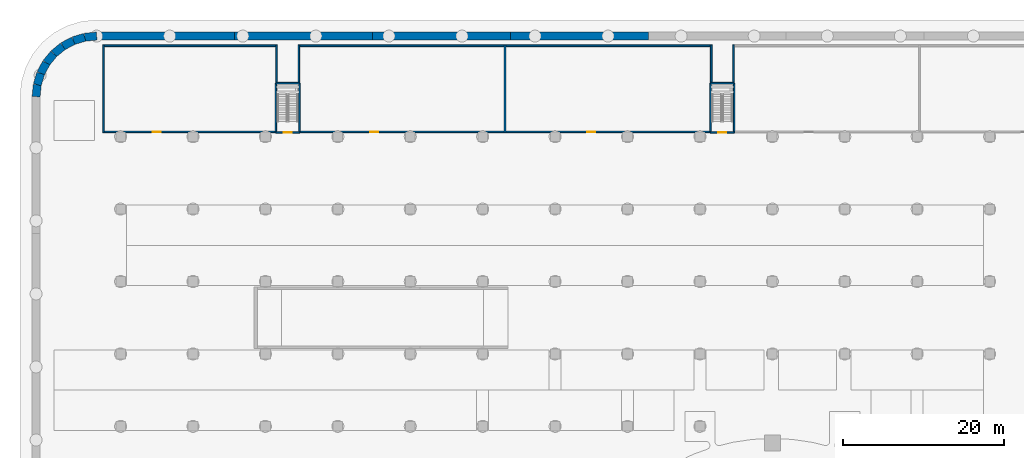
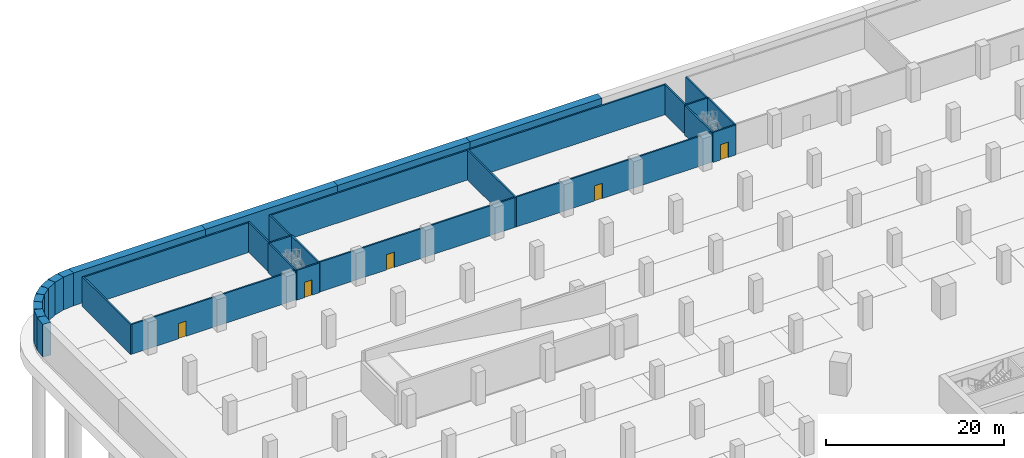
# One storey, part 20 of 39: 32 walls, 5 doors, 5 openings.
"""IFC4 building model written with IfcOpenShell, lengths in metres."""

import ifcopenshell
import ifcopenshell.guid

model = None  # the IFC model being written
_history = None  # IfcOwnerHistory: only IFC2X3 demands one
_inside = {}  # id of a spatial element -> (the spatial element, [elements in it])
_under = {}  # id of a project, library or spatial element -> (it, [spatial elements below it])
_declared = {}  # id of a project -> (the project, [libraries it declares])
_typed = {}  # id of a type object -> (the type object, [elements of that type])
_made_of = {}  # id of a material, layer set ... -> (it, [elements and type objects made of it])


def new_model(schema):
    """Start an empty IFC model of exactly this schema.

    Asked for "IFC4X3", IfcOpenShell would pick the latest addendum, in which some entities
    have other attributes; the version numbers below select the first issue.
    IFC2X3 requires an IfcOwnerHistory on every rooted entity: one is made here for all.
    """
    global model, _history
    if schema == "IFC4X3":
        model = ifcopenshell.file(schema_version=(4, 3, 0, 0))
    else:
        model = ifcopenshell.file(schema=schema)
    _inside.clear()
    _under.clear()
    _declared.clear()
    _typed.clear()
    _made_of.clear()
    _history = None
    if model.schema == "IFC2X3":
        org = make("IfcOrganization", Name="unknown")
        user = make(
            "IfcPersonAndOrganization",
            ThePerson=make("IfcPerson", FamilyName="unknown"),
            TheOrganization=org,
        )
        app = make(
            "IfcApplication",
            ApplicationDeveloper=org,
            Version="unknown",
            ApplicationFullName="unknown",
            ApplicationIdentifier="unknown",
        )
        _history = make(
            "IfcOwnerHistory",
            OwningUser=user,
            OwningApplication=app,
            ChangeAction="ADDED",
            CreationDate=0,
        )
    return model


def make(cls, **values):
    """One entity of the class cls with the attributes given. An attribute that is None is left unset."""
    return model.create_entity(
        cls, **{name: value for name, value in values.items() if value is not None}
    )


def rooted(cls, **values):
    """An entity with a GlobalId (a new one), such as an element, a storey or a relation."""
    return make(cls, GlobalId=ifcopenshell.guid.new(), OwnerHistory=_history, **values)


def si_unit(unit_type, name, prefix=None):
    """IfcSIUnit, for example si_unit("LENGTHUNIT", "METRE", prefix="MILLI")."""
    return make("IfcSIUnit", UnitType=unit_type, Prefix=prefix, Name=name)


def assignment(units):
    """IfcUnitAssignment: the units of a project."""
    return None if units is None else make("IfcUnitAssignment", Units=units)


def point(xyz):
    """IfcCartesianPoint."""
    return None if xyz is None else make("IfcCartesianPoint", Coordinates=xyz)


def direction(xyz):
    """IfcDirection."""
    return None if xyz is None else make("IfcDirection", DirectionRatios=xyz)


def frame(location, z_axis=None, x_axis=None):
    """IfcAxis2Placement3D, a coordinate frame: its origin and axes. An axis left out is left unset."""
    return make(
        "IfcAxis2Placement3D",
        Location=point(location),
        Axis=direction(z_axis),
        RefDirection=direction(x_axis),
    )


def frame_2d(location, x_axis=None):
    """IfcAxis2Placement2D, a coordinate frame in the plane: its origin and x axis."""
    return make(
        "IfcAxis2Placement2D", Location=point(location), RefDirection=direction(x_axis)
    )


def origin():
    """The frame at (0, 0, 0) with its axes left unset."""
    return frame((0.0, 0.0, 0.0))


def place(relative_to, where):
    """IfcLocalPlacement: puts the frame where relative to a parent placement (None: the world)."""
    return make(
        "IfcLocalPlacement", PlacementRelTo=relative_to, RelativePlacement=where
    )


def context(
    kind, dimensions, precision=None, world=None, true_north=None, identifier=None
):
    """IfcGeometricRepresentationContext, for example the 3D "Model" context."""
    return make(
        "IfcGeometricRepresentationContext",
        ContextIdentifier=identifier,
        ContextType=kind,
        CoordinateSpaceDimension=dimensions,
        Precision=precision,
        WorldCoordinateSystem=world,
        TrueNorth=true_north,
    )


def subcontext(parent, identifier, kind, view, scale=None):
    """IfcGeometricRepresentationSubContext, for example "Body" below "Model"."""
    return make(
        "IfcGeometricRepresentationSubContext",
        ContextIdentifier=identifier,
        ContextType=kind,
        ParentContext=parent,
        TargetScale=scale,
        TargetView=view,
    )


def project(units=None, contexts=None):
    """IfcProject with its units and contexts."""
    return rooted(
        "IfcProject",
        Name="project",
        RepresentationContexts=contexts,
        UnitsInContext=assignment(units),
    )


def spatial(cls, under=None, at=None, **own):
    """A site, building, storey or space (cls), placed at a placement, below another one or the project."""
    s = rooted(cls, ObjectPlacement=at, **own)
    if under is not None:
        _under.setdefault(under.id(), (under, []))[1].append(s)
    return s


def profile(cls, at=None, kind="AREA", **sizes):
    """A parametric profile (cls). Its sizes go by their IFC names, for example OverallWidth=200.0."""
    return make(cls, ProfileType=kind, Position=at, **sizes)


def rectangle(**sizes):
    """IfcRectangleProfileDef."""
    return profile("IfcRectangleProfileDef", **sizes)


def extrude(swept, where, along, depth):
    """IfcExtrudedAreaSolid: the profile swept, set in the frame where, extruded along a direction by depth."""
    return make(
        "IfcExtrudedAreaSolid",
        SweptArea=swept,
        Position=where,
        ExtrudedDirection=direction(along),
        Depth=depth,
    )


def shape(context_of_items, identifier, shape_type, items):
    """IfcShapeRepresentation: the items that make up one representation, for example the "Body"."""
    return make(
        "IfcShapeRepresentation",
        ContextOfItems=context_of_items,
        RepresentationIdentifier=identifier,
        RepresentationType=shape_type,
        Items=items,
    )


def material(Name=None, Category=None):
    """IfcMaterial."""
    return make("IfcMaterial", Name=Name, Category=Category)


def layer(
    of_material, thickness, ventilated=None, Name=None, Category=None, Priority=None
):
    """IfcMaterialLayer: one layer of a wall or slab, of a material (None: an air gap)."""
    return make(
        "IfcMaterialLayer",
        Material=of_material,
        LayerThickness=thickness,
        IsVentilated=ventilated,
        Name=Name,
        Category=Category,
        Priority=Priority,
    )


def layer_set(layers, Name=None):
    """IfcMaterialLayerSet."""
    return make("IfcMaterialLayerSet", MaterialLayers=layers, LayerSetName=Name)


def made_of(thing, what):
    """Note that an element or type object is made of a material, layer set ...; save() writes the relation."""
    if what is not None:
        _made_of.setdefault(what.id(), (what, []))[1].append(thing)
    return thing


def type_object(cls, material=None, **own):
    """A type object (cls), such as IfcWallType, which elements share."""
    return made_of(rooted(cls, **own), material)


def element(
    cls,
    number,
    at=None,
    inside=None,
    cuts=None,
    type_object=None,
    material=None,
    context=None,
    identifier="Body",
    shape_type=None,
    held_by="IfcProductDefinitionShape",
    body=None,
    shapes=None,
    **own,
):
    """One element of the class cls, such as IfcWall. Its Tag is "e" and its number.

    at: its placement. inside: the storey or other place that contains it. cuts: it is an
    opening in that element (IfcRelVoidsElement). A single representation is given by context,
    identifier, shape_type and body (its items); several are given by shapes. held_by: the class
    of the entity that holds the representations. save() writes the other relations.
    """
    e = rooted(cls, Tag="e%d" % number, ObjectPlacement=at, **own)
    if body is not None:
        shapes = [shape(context, identifier, shape_type, body)]
    if shapes is not None:
        e.Representation = make(held_by, Representations=shapes)
    if inside is not None:
        _inside.setdefault(inside.id(), (inside, []))[1].append(e)
    if cuts is not None:
        rooted(
            "IfcRelVoidsElement", RelatingBuildingElement=cuts, RelatedOpeningElement=e
        )
    if type_object is not None:
        _typed.setdefault(type_object.id(), (type_object, []))[1].append(e)
    return made_of(e, material)


def fill(opening, filler):
    """IfcRelFillsElement: the door or window that sits in an opening."""
    return rooted(
        "IfcRelFillsElement",
        RelatingOpeningElement=opening,
        RelatedBuildingElement=filler,
    )


def aggregate(whole, parts):
    """IfcRelAggregates: a whole, such as a stair, and the parts it consists of."""
    return rooted("IfcRelAggregates", RelatingObject=whole, RelatedObjects=parts)


def save(model, path):
    """Write the relations noted so far, then the file.

    IfcRelAggregates (storeys below a building ...), IfcRelContainedInSpatialStructure (elements
    in a storey), IfcRelDefinesByType, IfcRelAssociatesMaterial and IfcRelDeclares: one each for
    every whole, place, type object, material and project.
    """
    for whole, parts in _under.values():
        aggregate(whole, parts)
    for where, things in _inside.values():
        rooted(
            "IfcRelContainedInSpatialStructure",
            RelatedElements=things,
            RelatingStructure=where,
        )
    for kind, things in _typed.values():
        rooted("IfcRelDefinesByType", RelatedObjects=things, RelatingType=kind)
    for what, things in _made_of.values():
        rooted("IfcRelAssociatesMaterial", RelatedObjects=things, RelatingMaterial=what)
    for by, libraries in _declared.values():
        rooted("IfcRelDeclares", RelatingContext=by, RelatedDefinitions=libraries)
    model.write(path)


model = new_model("IFC4")

# Units and contexts
model_context = context("Model", 3, precision=1e-05, world=origin(), true_north=direction((0.0, 1.0)))
body_context = subcontext(model_context, "Body", "Model", "MODEL_VIEW")
ifc_project = project(units=[si_unit("LENGTHUNIT", "METRE"), si_unit("AREAUNIT", "SQUARE_METRE"), si_unit("VOLUMEUNIT", "CUBIC_METRE"), si_unit("PLANEANGLEUNIT", "RADIAN"), si_unit("MASSUNIT", "GRAM", prefix="KILO")], contexts=[model_context])

# Site, building, storey
site_placement = place(None, origin())
site = spatial("IfcSite", under=ifc_project, at=site_placement, CompositionType="ELEMENT")
building_placement = place(site_placement, origin())
building = spatial("IfcBuilding", under=site, at=building_placement, Name="Ogive Gate Towers", CompositionType="ELEMENT")
storey_placement = place(building_placement, frame((0.0, 0.0, -9.0)))
storey = spatial("IfcBuildingStorey", under=building, at=storey_placement, Name="B2", CompositionType="ELEMENT", Elevation=-9.0)

# Wall, opening, door
ifc_material_1 = material(Name="Reinforced concrete C32/40", Category="concrete")
ifc_layer_1 = layer(ifc_material_1, 0.199951171875)
ifc_layer_set_1 = layer_set([ifc_layer_1], Name="Car park stair shaft wall 200")
wall_type_1 = type_object("IfcWallType", Name="Car park stair shaft wall 200", PredefinedType="SOLIDWALL", material=ifc_layer_set_1)
wall_1_placement = place(storey_placement, frame((-94.75, 63.5, 0.0), z_axis=(0.0, 0.0, 1.0), x_axis=(-1.0, 0.0, 0.0)))
wall_1 = element("IfcWall", 1, at=wall_1_placement, inside=storey, type_object=wall_type_1, Name="CS1 stair shaft wall B2 1", PredefinedType="SOLIDWALL", context=body_context, shape_type="SweptSolid", body=[
    extrude(rectangle(XDim=2.949951171875, YDim=0.199951171875, at=frame_2d((1.47509765625, 0.0))), origin(), (0.0, 0.0, 1.0), 4.10009765625),
])
opening_1_placement = place(wall_1_placement, frame((0.97509765625, 0.0, 0.0)))
opening_1 = element("IfcOpeningElement", 2, at=opening_1_placement, cuts=wall_1, Name="Opening CPD31-B2", PredefinedType="OPENING", context=body_context, shape_type="SweptSolid", body=[
    extrude(rectangle(XDim=1.0, YDim=2.10009765625, at=frame_2d((0.5, 1.050048828125))), frame((0.0, 0.10986328125, 0.0), z_axis=(0.0, -1.0, 0.0), x_axis=(1.0, 0.0, 0.0)), (0.0, 0.0, 1.0), 0.219970703125),
])
ifc_material_2 = material(Name="Painted steel door", Category="steel")
door_type_1 = type_object("IfcDoorType", Name="Stair house door 1000 x 2100", OperationType="SINGLE_SWING_LEFT", PredefinedType="DOOR", material=ifc_material_2)
door_1_placement = place(opening_1_placement, origin())
door_1 = element("IfcDoor", 3, at=door_1_placement, inside=storey, type_object=door_type_1, Name="Door CS1 stair B2", OperationType="SINGLE_SWING_LEFT", OverallHeight=2.10009765625, OverallWidth=1.0, PredefinedType="DOOR", context=body_context, shape_type="SweptSolid", body=[
    extrude(rectangle(XDim=1.0, YDim=2.10009765625, at=frame_2d((0.5, 1.050048828125))), frame((0.0, 0.02490234375, 0.0), z_axis=(0.0, -1.0, 0.0), x_axis=(1.0, 0.0, 0.0)), (0.0, 0.0, 1.0), 0.050048828125),
])
fill(opening_1, door_1)

# Walls
wall_2_placement = place(storey_placement, frame((-97.699951171875, 63.5, 0.0), z_axis=(0.0, 0.0, 1.0), x_axis=(0.0, 1.0, 0.0)))
element("IfcWall", 4, at=wall_2_placement, inside=storey, type_object=wall_type_1, Name="CS1 stair shaft wall B2 2", PredefinedType="SOLIDWALL", context=body_context, shape_type="SweptSolid", body=[
    extrude(rectangle(XDim=6.159912109375, YDim=0.199951171875, at=frame_2d((3.080078125, 0.0))), origin(), (0.0, 0.0, 1.0), 4.10009765625),
])
wall_3_placement = place(storey_placement, frame((-97.699951171875, 69.659912109375, 0.0), z_axis=(0.0, 0.0, 1.0), x_axis=(1.0, 0.0, 0.0)))
element("IfcWall", 5, at=wall_3_placement, inside=storey, type_object=wall_type_1, Name="CS1 stair shaft wall B2 3", PredefinedType="SOLIDWALL", context=body_context, shape_type="SweptSolid", body=[
    extrude(rectangle(XDim=2.949951171875, YDim=0.199951171875, at=frame_2d((1.47509765625, 0.0))), origin(), (0.0, 0.0, 1.0), 4.10009765625),
])
wall_4_placement = place(storey_placement, frame((-94.75, 69.659912109375, 0.0), z_axis=(0.0, 0.0, 1.0), x_axis=(0.0, -1.0, 0.0)))
element("IfcWall", 6, at=wall_4_placement, inside=storey, type_object=wall_type_1, Name="CS1 stair shaft wall B2 4", PredefinedType="SOLIDWALL", context=body_context, shape_type="SweptSolid", body=[
    extrude(rectangle(XDim=6.159912109375, YDim=0.199951171875, at=frame_2d((3.080078125, 0.0))), origin(), (0.0, 0.0, 1.0), 4.10009765625),
])

# Wall, opening, door
wall_5_placement = place(storey_placement, frame((-40.75, 63.5, 0.0), z_axis=(0.0, 0.0, 1.0), x_axis=(-1.0, 0.0, 0.0)))
wall_5 = element("IfcWall", 7, at=wall_5_placement, inside=storey, type_object=wall_type_1, Name="CS2 stair shaft wall B2 1", PredefinedType="SOLIDWALL", context=body_context, shape_type="SweptSolid", body=[
    extrude(rectangle(XDim=2.949951171875, YDim=0.199951171875, at=frame_2d((1.47509765625, 0.0))), origin(), (0.0, 0.0, 1.0), 4.10009765625),
])
opening_2_placement = place(wall_5_placement, frame((0.97509765625, 0.0, 0.0)))
opening_2 = element("IfcOpeningElement", 8, at=opening_2_placement, cuts=wall_5, Name="Opening CPD32-B2", PredefinedType="OPENING", context=body_context, shape_type="SweptSolid", body=[
    extrude(rectangle(XDim=1.0, YDim=2.10009765625, at=frame_2d((0.5, 1.050048828125))), frame((0.0, 0.10986328125, 0.0), z_axis=(0.0, -1.0, 0.0), x_axis=(1.0, 0.0, 0.0)), (0.0, 0.0, 1.0), 0.219970703125),
])
door_2_placement = place(opening_2_placement, origin())
door_2 = element("IfcDoor", 9, at=door_2_placement, inside=storey, type_object=door_type_1, Name="Door CS2 stair B2", OperationType="SINGLE_SWING_LEFT", OverallHeight=2.10009765625, OverallWidth=1.0, PredefinedType="DOOR", context=body_context, shape_type="SweptSolid", body=[
    extrude(rectangle(XDim=1.0, YDim=2.10009765625, at=frame_2d((0.5, 1.050048828125))), frame((0.0, 0.02490234375, 0.0), z_axis=(0.0, -1.0, 0.0), x_axis=(1.0, 0.0, 0.0)), (0.0, 0.0, 1.0), 0.050048828125),
])
fill(opening_2, door_2)

# Walls
wall_6_placement = place(storey_placement, frame((-43.699951171875, 63.5, 0.0), z_axis=(0.0, 0.0, 1.0), x_axis=(0.0, 1.0, 0.0)))
element("IfcWall", 10, at=wall_6_placement, inside=storey, type_object=wall_type_1, Name="CS2 stair shaft wall B2 2", PredefinedType="SOLIDWALL", context=body_context, shape_type="SweptSolid", body=[
    extrude(rectangle(XDim=6.159912109375, YDim=0.199951171875, at=frame_2d((3.080078125, 0.0))), origin(), (0.0, 0.0, 1.0), 4.10009765625),
])
wall_7_placement = place(storey_placement, frame((-43.699951171875, 69.659912109375, 0.0), z_axis=(0.0, 0.0, 1.0), x_axis=(1.0, 0.0, 0.0)))
element("IfcWall", 11, at=wall_7_placement, inside=storey, type_object=wall_type_1, Name="CS2 stair shaft wall B2 3", PredefinedType="SOLIDWALL", context=body_context, shape_type="SweptSolid", body=[
    extrude(rectangle(XDim=2.949951171875, YDim=0.199951171875, at=frame_2d((1.47509765625, 0.0))), origin(), (0.0, 0.0, 1.0), 4.10009765625),
])
wall_8_placement = place(storey_placement, frame((-40.75, 69.659912109375, 0.0), z_axis=(0.0, 0.0, 1.0), x_axis=(0.0, -1.0, 0.0)))
element("IfcWall", 12, at=wall_8_placement, inside=storey, type_object=wall_type_1, Name="CS2 stair shaft wall B2 4", PredefinedType="SOLIDWALL", context=body_context, shape_type="SweptSolid", body=[
    extrude(rectangle(XDim=6.159912109375, YDim=0.199951171875, at=frame_2d((3.080078125, 0.0))), origin(), (0.0, 0.0, 1.0), 4.10009765625),
])
ifc_material_3 = material(Name="Blockwork", Category="masonry")
ifc_layer_2 = layer(ifc_material_3, 0.199951171875)
ifc_layer_set_2 = layer_set([ifc_layer_2], Name="Plant room wall 200")
wall_type_2 = type_object("IfcWallType", Name="Plant room wall 200", PredefinedType="PARTITIONING", material=ifc_layer_set_2)
wall_9_placement = place(storey_placement, frame((-119.10009765625, 63.5, 0.0), z_axis=(0.0, 0.0, 1.0), x_axis=(0.0, 1.0, 0.0)))
element("IfcWall", 13, at=wall_9_placement, inside=storey, type_object=wall_type_2, Name="Plant room wall B2-001", PredefinedType="PARTITIONING", context=body_context, shape_type="SweptSolid", body=[
    extrude(rectangle(XDim=10.89990234375, YDim=0.199951171875, at=frame_2d((5.449951171875, 0.0))), origin(), (0.0, 0.0, 1.0), 4.10009765625),
])
for number, where, z_axis, x_axis, name in (
    (14, (-97.60009765625, 69.780029296875, 0.0), (0.0, 0.0, 1.0), (0.0, 1.0, 0.0), "Plant room wall B2-002"),
    (15, (-94.85009765625, 69.780029296875, 0.0), (0.0, 0.0, 1.0), (0.0, 1.0, 0.0), "Plant room wall B2-003"),
):
    element("IfcWall", number, at=place(storey_placement, frame(where, z_axis=z_axis, x_axis=x_axis)), inside=storey, type_object=wall_type_2, Name=name, PredefinedType="PARTITIONING", context=body_context, shape_type="SweptSolid", body=[
        extrude(rectangle(XDim=4.619873046875, YDim=0.199951171875, at=frame_2d((2.31005859375, 0.0))), origin(), (0.0, 0.0, 1.0), 4.10009765625),
    ])
wall_10_placement = place(storey_placement, frame((-69.22509765625, 63.5, 0.0), z_axis=(0.0, 0.0, 1.0), x_axis=(0.0, 1.0, 0.0)))
element("IfcWall", 16, at=wall_10_placement, inside=storey, type_object=wall_type_2, Name="Plant room wall B2-004", PredefinedType="PARTITIONING", context=body_context, shape_type="SweptSolid", body=[
    extrude(rectangle(XDim=10.89990234375, YDim=0.199951171875, at=frame_2d((5.449951171875, 0.0))), origin(), (0.0, 0.0, 1.0), 4.10009765625),
])
for number, where, z_axis, x_axis, name in (
    (17, (-43.60009765625, 69.780029296875, 0.0), (0.0, 0.0, 1.0), (0.0, 1.0, 0.0), "Plant room wall B2-005"),
    (18, (-40.85009765625, 69.780029296875, 0.0), (0.0, 0.0, 1.0), (0.0, 1.0, 0.0), "Plant room wall B2-006"),
):
    element("IfcWall", number, at=place(storey_placement, frame(where, z_axis=z_axis, x_axis=x_axis)), inside=storey, type_object=wall_type_2, Name=name, PredefinedType="PARTITIONING", context=body_context, shape_type="SweptSolid", body=[
        extrude(rectangle(XDim=4.619873046875, YDim=0.199951171875, at=frame_2d((2.31005859375, 0.0))), origin(), (0.0, 0.0, 1.0), 4.10009765625),
    ])

# Wall, opening, door
wall_11_placement = place(storey_placement, frame((-119.0, 63.60009765625, 0.0), z_axis=(0.0, 0.0, 1.0), x_axis=(1.0, 0.0, 0.0)))
wall_11 = element("IfcWall", 19, at=wall_11_placement, inside=storey, type_object=wall_type_2, Name="Plant room wall B2-015", PredefinedType="PARTITIONING", context=body_context, shape_type="SweptSolid", body=[
    extrude(rectangle(XDim=21.179931640625, YDim=0.199951171875, at=frame_2d((10.58984375, 0.0))), origin(), (0.0, 0.0, 1.0), 4.10009765625),
])
opening_3_placement = place(wall_11_placement, frame((6.0, 0.0, 0.0)))
opening_3 = element("IfcOpeningElement", 20, at=opening_3_placement, cuts=wall_11, Name="Opening CPD201", PredefinedType="OPENING", context=body_context, shape_type="SweptSolid", body=[
    extrude(rectangle(XDim=1.0, YDim=2.10009765625, at=frame_2d((0.5, 1.050048828125))), frame((0.0, 0.10986328125, 0.0), z_axis=(0.0, -1.0, 0.0), x_axis=(1.0, 0.0, 0.0)), (0.0, 0.0, 1.0), 0.219970703125),
])
door_type_2 = type_object("IfcDoorType", Name="Fire door 1000 x 2100", OperationType="SINGLE_SWING_LEFT", PredefinedType="DOOR", material=ifc_material_2)
door_3_placement = place(opening_3_placement, origin())
door_3 = element("IfcDoor", 21, at=door_3_placement, inside=storey, type_object=door_type_2, Name="Door CPD201", OperationType="SINGLE_SWING_LEFT", OverallHeight=2.10009765625, OverallWidth=1.0, PredefinedType="DOOR", context=body_context, shape_type="SweptSolid", body=[
    extrude(rectangle(XDim=1.0, YDim=2.10009765625, at=frame_2d((0.5, 1.050048828125))), frame((0.0, 0.02490234375, 0.0), z_axis=(0.0, -1.0, 0.0), x_axis=(1.0, 0.0, 0.0)), (0.0, 0.0, 1.0), 0.050048828125),
])
fill(opening_3, door_3)

wall_12_placement = place(storey_placement, frame((-94.6298828125, 63.60009765625, 0.0), z_axis=(0.0, 0.0, 1.0), x_axis=(1.0, 0.0, 0.0)))
wall_12 = element("IfcWall", 22, at=wall_12_placement, inside=storey, type_object=wall_type_2, Name="Plant room wall B2-016", PredefinedType="PARTITIONING", context=body_context, shape_type="SweptSolid", body=[
    extrude(rectangle(XDim=25.304931640625, YDim=0.199951171875, at=frame_2d((12.65234375, 0.0))), origin(), (0.0, 0.0, 1.0), 4.10009765625),
])
opening_4_placement = place(wall_12_placement, frame((8.6298828125, 0.0, 0.0)))
opening_4 = element("IfcOpeningElement", 23, at=opening_4_placement, cuts=wall_12, Name="Opening CPD202", PredefinedType="OPENING", context=body_context, shape_type="SweptSolid", body=[
    extrude(rectangle(XDim=1.0, YDim=2.10009765625, at=frame_2d((0.5, 1.050048828125))), frame((0.0, 0.10986328125, 0.0), z_axis=(0.0, -1.0, 0.0), x_axis=(1.0, 0.0, 0.0)), (0.0, 0.0, 1.0), 0.219970703125),
])
door_4_placement = place(opening_4_placement, origin())
door_4 = element("IfcDoor", 24, at=door_4_placement, inside=storey, type_object=door_type_2, Name="Door CPD202", OperationType="SINGLE_SWING_RIGHT", OverallHeight=2.10009765625, OverallWidth=1.0, PredefinedType="DOOR", context=body_context, shape_type="SweptSolid", body=[
    extrude(rectangle(XDim=1.0, YDim=2.10009765625, at=frame_2d((0.5, 1.050048828125))), frame((0.0, 0.02490234375, 0.0), z_axis=(0.0, -1.0, 0.0), x_axis=(1.0, 0.0, 0.0)), (0.0, 0.0, 1.0), 0.050048828125),
])
fill(opening_4, door_4)

wall_13_placement = place(storey_placement, frame((-69.125, 63.60009765625, 0.0), z_axis=(0.0, 0.0, 1.0), x_axis=(1.0, 0.0, 0.0)))
wall_13 = element("IfcWall", 25, at=wall_13_placement, inside=storey, type_object=wall_type_2, Name="Plant room wall B2-017", PredefinedType="PARTITIONING", context=body_context, shape_type="SweptSolid", body=[
    extrude(rectangle(XDim=25.304931640625, YDim=0.199951171875, at=frame_2d((12.65234375, 0.0))), origin(), (0.0, 0.0, 1.0), 4.10009765625),
])
opening_5_placement = place(wall_13_placement, frame((10.125, 0.0, 0.0)))
opening_5 = element("IfcOpeningElement", 26, at=opening_5_placement, cuts=wall_13, Name="Opening CPD203", PredefinedType="OPENING", context=body_context, shape_type="SweptSolid", body=[
    extrude(rectangle(XDim=1.0, YDim=2.10009765625, at=frame_2d((0.5, 1.050048828125))), frame((0.0, 0.10986328125, 0.0), z_axis=(0.0, -1.0, 0.0), x_axis=(1.0, 0.0, 0.0)), (0.0, 0.0, 1.0), 0.219970703125),
])
door_5_placement = place(opening_5_placement, origin())
door_5 = element("IfcDoor", 27, at=door_5_placement, inside=storey, type_object=door_type_2, Name="Door CPD203", OperationType="SINGLE_SWING_LEFT", OverallHeight=2.10009765625, OverallWidth=1.0, PredefinedType="DOOR", context=body_context, shape_type="SweptSolid", body=[
    extrude(rectangle(XDim=1.0, YDim=2.10009765625, at=frame_2d((0.5, 1.050048828125))), frame((0.0, 0.02490234375, 0.0), z_axis=(0.0, -1.0, 0.0), x_axis=(1.0, 0.0, 0.0)), (0.0, 0.0, 1.0), 0.050048828125),
])
fill(opening_5, door_5)

# Walls
wall_14_placement = place(storey_placement, frame((-119.0, 74.300048828125, 0.0), z_axis=(0.0, 0.0, 1.0), x_axis=(1.0, 0.0, 0.0)))
element("IfcWall", 28, at=wall_14_placement, inside=storey, type_object=wall_type_2, Name="Plant room wall B2-024", PredefinedType="PARTITIONING", context=body_context, shape_type="SweptSolid", body=[
    extrude(rectangle(XDim=21.300048828125, YDim=0.199951171875, at=frame_2d((10.64990234375, 0.0))), origin(), (0.0, 0.0, 1.0), 4.10009765625),
])
for number, where, z_axis, x_axis, name in (
    (29, (-94.75, 74.300048828125, 0.0), (0.0, 0.0, 1.0), (1.0, 0.0, 0.0), "Plant room wall B2-025"),
    (30, (-69.125, 74.300048828125, 0.0), (0.0, 0.0, 1.0), (1.0, 0.0, 0.0), "Plant room wall B2-026"),
):
    element("IfcWall", number, at=place(storey_placement, frame(where, z_axis=z_axis, x_axis=x_axis)), inside=storey, type_object=wall_type_2, Name=name, PredefinedType="PARTITIONING", context=body_context, shape_type="SweptSolid", body=[
        extrude(rectangle(XDim=25.425048828125, YDim=0.199951171875, at=frame_2d((12.71240234375, 0.0))), origin(), (0.0, 0.0, 1.0), 4.10009765625),
    ])
ifc_material_4 = material(Name="Concrete C40/50", Category="concrete")
ifc_layer_3 = layer(ifc_material_4, 1.0)
ifc_layer_set_3 = layer_set([ifc_layer_3], Name="Retaining wall 1000")
wall_type_3 = type_object("IfcWallType", Name="Retaining wall 1000", PredefinedType="SOLIDWALL", material=ifc_layer_set_3)
wall_15_placement = place(storey_placement, frame((-127.5, 67.975341796875, 0.0), z_axis=(0.0, 0.0, 1.0), x_axis=(0.098015582414, 0.995184880112, 0.0)))
element("IfcWall", 31, at=wall_15_placement, inside=storey, type_object=wall_type_3, Name="BS/B2/SWL031", PredefinedType="SOLIDWALL", context=body_context, shape_type="SweptSolid", body=[
    extrude(rectangle(XDim=1.494384765625, YDim=1.0, at=frame_2d((0.7470703125, 0.0))), origin(), (0.0, 0.0, 1.0), 4.5),
])
for number, where, z_axis, x_axis, name in (
    (32, (-127.353515625, 69.462646484375, 0.0), (0.0, 0.0, 1.0), (0.290348524206, 0.956920965645, 0.0), "BS/B2/SWL032"),
    (33, (-126.9267578125, 70.869140625, 0.0), (0.0, 0.0, 1.0), (0.471234704339, 0.882007853381, 0.0), "BS/B2/SWL033"),
    (34, (-126.234130859375, 72.16552734375, 0.0), (0.0, 0.0, 1.0), (0.634530405868, 0.772897900132, 0.0), "BS/B2/SWL034"),
    (35, (-125.301513671875, 73.301513671875, 0.0), (0.0, 0.0, 1.0), (0.772897900132, 0.634530405868, 0.0), "BS/B2/SWL035"),
    (36, (-124.16552734375, 74.234130859375, 0.0), (0.0, 0.0, 1.0), (0.882007853381, 0.471234704339, 0.0), "BS/B2/SWL036"),
    (37, (-122.869140625, 74.9267578125, 0.0), (0.0, 0.0, 1.0), (0.956920965645, 0.290348524206, 0.0), "BS/B2/SWL037"),
):
    element("IfcWall", number, at=place(storey_placement, frame(where, z_axis=z_axis, x_axis=x_axis)), inside=storey, type_object=wall_type_3, Name=name, PredefinedType="SOLIDWALL", context=body_context, shape_type="SweptSolid", body=[
        extrude(rectangle(XDim=1.4697265625, YDim=1.0, at=frame_2d((0.73486328125, 0.0))), origin(), (0.0, 0.0, 1.0), 4.5),
    ])
wall_16_placement = place(storey_placement, frame((-121.462646484375, 75.353515625, 0.0), z_axis=(0.0, 0.0, 1.0), x_axis=(0.995184880112, 0.098015582414, 0.0)))
element("IfcWall", 38, at=wall_16_placement, inside=storey, type_object=wall_type_3, Name="BS/B2/SWL038", PredefinedType="SOLIDWALL", context=body_context, shape_type="SweptSolid", body=[
    extrude(rectangle(XDim=1.494384765625, YDim=1.0, at=frame_2d((0.7470703125, 0.0))), origin(), (0.0, 0.0, 1.0), 4.5),
])
wall_17_placement = place(storey_placement, frame((-119.975341796875, 75.5, 0.0), z_axis=(0.0, 0.0, 1.0), x_axis=(1.0, 0.0, 0.0)))
element("IfcWall", 39, at=wall_17_placement, inside=storey, type_object=wall_type_3, Name="BS/B2/SWL039", PredefinedType="SOLIDWALL", context=body_context, shape_type="SweptSolid", body=[
    extrude(rectangle(XDim=17.13916015625, YDim=1.0, at=frame_2d((8.569580078125, 0.0))), origin(), (0.0, 0.0, 1.0), 4.5),
])
for number, where, z_axis, x_axis, name in (
    (40, (-102.836181640625, 75.5, 0.0), (0.0, 0.0, 1.0), (1.0, 0.0, 0.0), "BS/B2/SWL040"),
    (41, (-85.69677734375, 75.5, 0.0), (0.0, 0.0, 1.0), (1.0, 0.0, 0.0), "BS/B2/SWL041"),
    (42, (-68.557373046875, 75.5, 0.0), (0.0, 0.0, 1.0), (1.0, 0.0, 0.0), "BS/B2/SWL042"),
):
    element("IfcWall", number, at=place(storey_placement, frame(where, z_axis=z_axis, x_axis=x_axis)), inside=storey, type_object=wall_type_3, Name=name, PredefinedType="SOLIDWALL", context=body_context, shape_type="SweptSolid", body=[
        extrude(rectangle(XDim=17.139404296875, YDim=1.0, at=frame_2d((8.56982421875, 0.0))), origin(), (0.0, 0.0, 1.0), 4.5),
    ])

save(model, "model.ifc")
